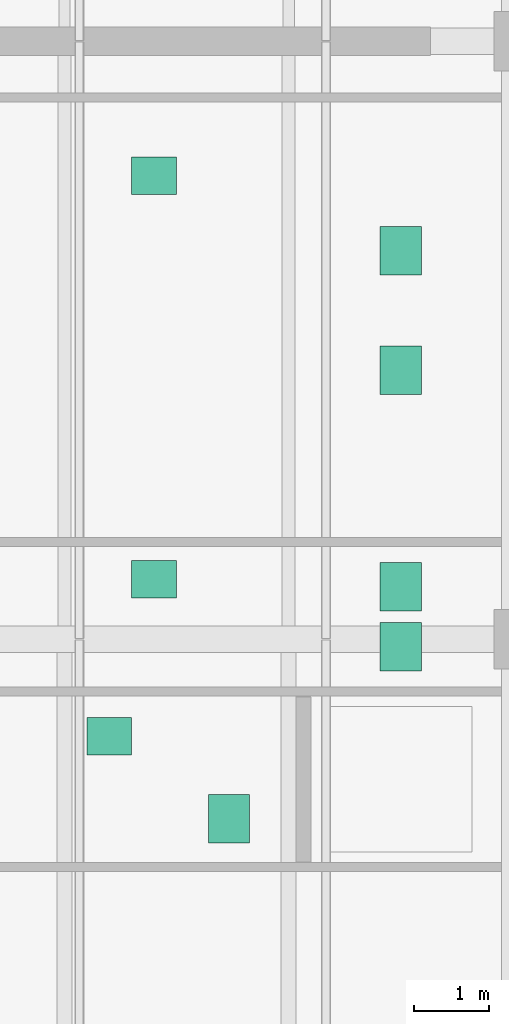
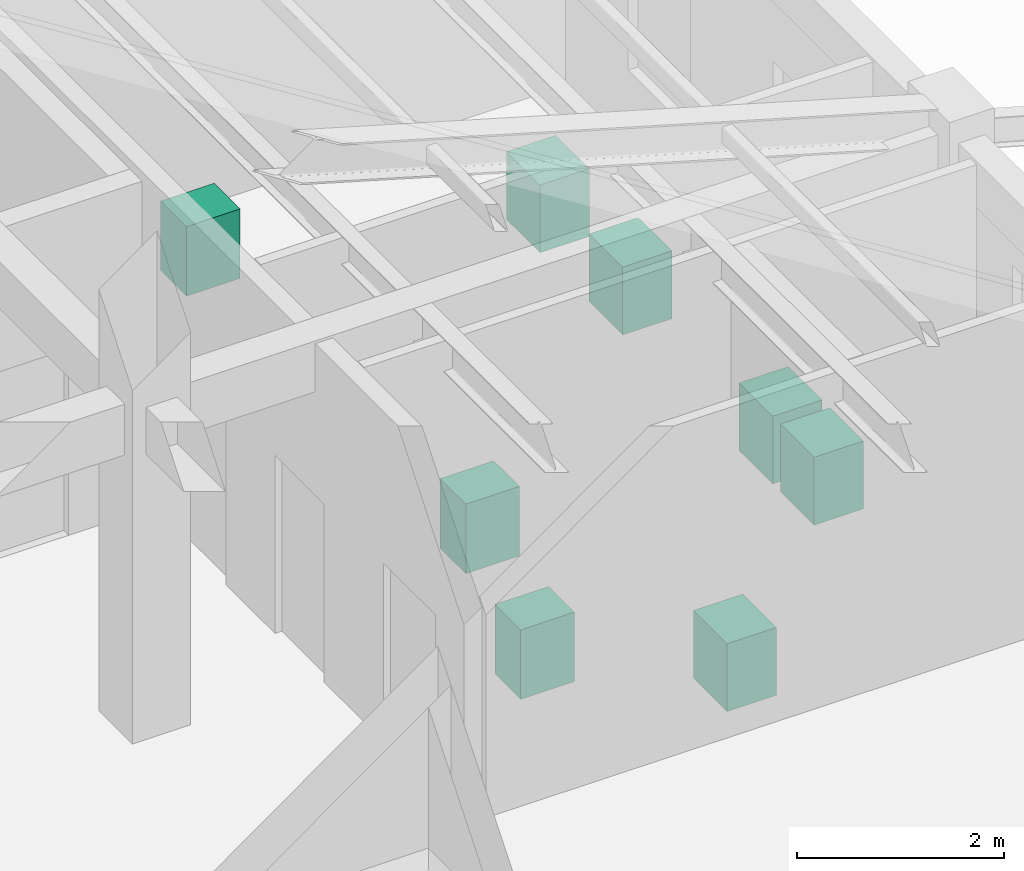
# One storey, part 58 of 58: 8 sanitary terminals.
"""IFC4 building model written with IfcOpenShell, lengths in metres."""

from ifc_helpers import new_model, si_unit, derived_unit, direction, frame, origin, origin_2d, place, context, subcontext, project, spatial, rectangle, extrude, material, type_object, element, save


model = new_model("IFC4")

# Units and contexts
model_context = context("Model", 3, precision=1e-05, world=origin(), true_north=direction((0.0, 1.0)))
body_context = subcontext(model_context, "Body", "Model", "MODEL_VIEW")
ifc_project = project(units=[si_unit("LENGTHUNIT", "METRE"), si_unit("AREAUNIT", "SQUARE_METRE"), si_unit("VOLUMEUNIT", "CUBIC_METRE"), si_unit("PLANEANGLEUNIT", "RADIAN"), si_unit("MASSUNIT", "GRAM", prefix="KILO"), derived_unit("THERMALTRANSMITTANCEUNIT", [(si_unit("MASSUNIT", "GRAM", prefix="KILO"), 1), (si_unit("TIMEUNIT", "SECOND"), -3), (si_unit("THERMODYNAMICTEMPERATUREUNIT", "KELVIN"), -1)])], contexts=[model_context])

# Site, building, storey
site_placement = place(None, origin())
site = spatial("IfcSite", under=ifc_project, at=site_placement, CompositionType="ELEMENT")
building_placement = place(site_placement, origin())
building = spatial("IfcBuilding", under=site, at=building_placement, Name="Zhenchuan Archway Interchange", CompositionType="ELEMENT")
storey_placement = place(building_placement, frame((0.0, 0.0, 22.800048828125)))
storey = spatial("IfcBuildingStorey", under=building, at=storey_placement, Name="L05", CompositionType="ELEMENT", Elevation=22.800048828125)

# Sanitary terminals
ifc_material = material(Name="Vitreous China", Category="ceramic")
sanitary_terminal_type_1 = type_object("IfcSanitaryTerminalType", Name="SAN_WASHHANDBASIN", PredefinedType="WASHHANDBASIN", material=ifc_material)
for number, where, z_axis, x_axis, name in (
    (1, (165.60009765625, 54.699951171875, 0.0), (0.0, 0.0, 1.0), (1.0, 0.0, 0.0), "Sanitary fixture 02 (L05)"),
    (2, (166.199951171875, 56.800048828125, 0.0), (0.0, 0.0, 1.0), (1.0, 0.0, 0.0), "Sanitary fixture 05 (L05)"),
    (3, (166.199951171875, 62.199951171875, 0.0), (0.0, 0.0, 1.0), (1.0, 0.0, 0.0), "Sanitary fixture 08 (L05)"),
):
    element("IfcSanitaryTerminal", number, at=place(storey_placement, frame(where, z_axis=z_axis, x_axis=x_axis)), inside=storey, type_object=sanitary_terminal_type_1, Name=name, PredefinedType="WASHHANDBASIN", context=body_context, shape_type="SweptSolid", body=[
        extrude(rectangle(XDim=0.60009765625, YDim=0.5, at=origin_2d()), origin(), (0.0, 0.0, 1.0), 0.820068359375),
    ])
sanitary_terminal_type_2 = type_object("IfcSanitaryTerminalType", Name="SAN_WCSEAT", PredefinedType="WCSEAT", material=ifc_material)
for number, where, z_axis, x_axis, name in (
    (4, (167.199951171875, 53.60009765625, 0.0), (0.0, 0.0, 1.0), (1.0, 0.0, 0.0), "Sanitary fixture 01 (L05)"),
    (5, (169.5, 55.89990234375, 0.0), (0.0, 0.0, 1.0), (1.0, 0.0, 0.0), "Sanitary fixture 03 (L05)"),
    (6, (169.5, 56.699951171875, 0.0), (0.0, 0.0, 1.0), (1.0, 0.0, 0.0), "Sanitary fixture 04 (L05)"),
    (7, (169.5, 59.60009765625, 0.0), (0.0, 0.0, 1.0), (1.0, 0.0, 0.0), "Sanitary fixture 06 (L05)"),
    (8, (169.5, 61.199951171875, 0.0), (0.0, 0.0, 1.0), (1.0, 0.0, 0.0), "Sanitary fixture 07 (L05)"),
):
    element("IfcSanitaryTerminal", number, at=place(storey_placement, frame(where, z_axis=z_axis, x_axis=x_axis)), inside=storey, type_object=sanitary_terminal_type_2, Name=name, PredefinedType="WCSEAT", context=body_context, shape_type="SweptSolid", body=[
        extrude(rectangle(XDim=0.550048828125, YDim=0.64990234375, at=origin_2d()), origin(), (0.0, 0.0, 1.0), 0.800048828125),
    ])

save(model, "model.ifc")
